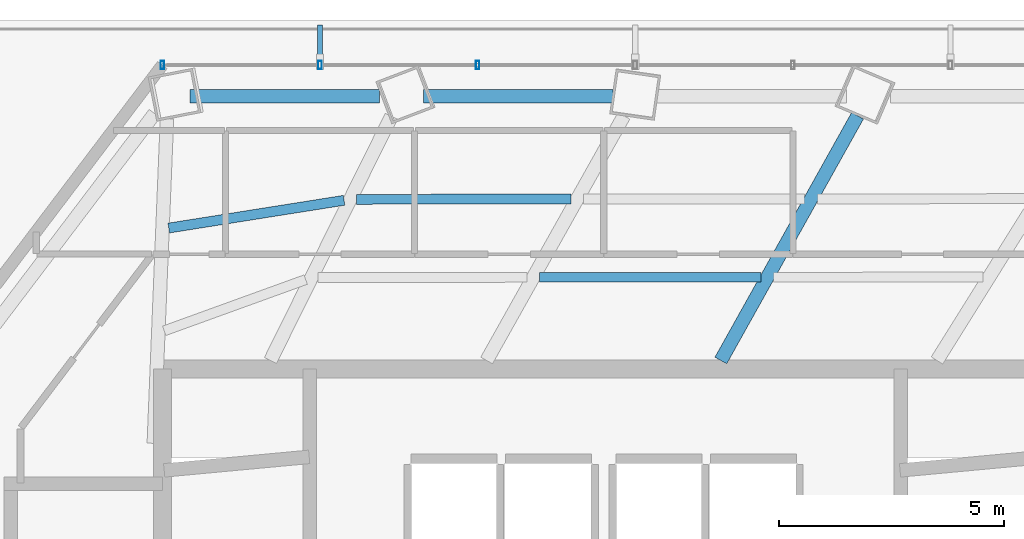
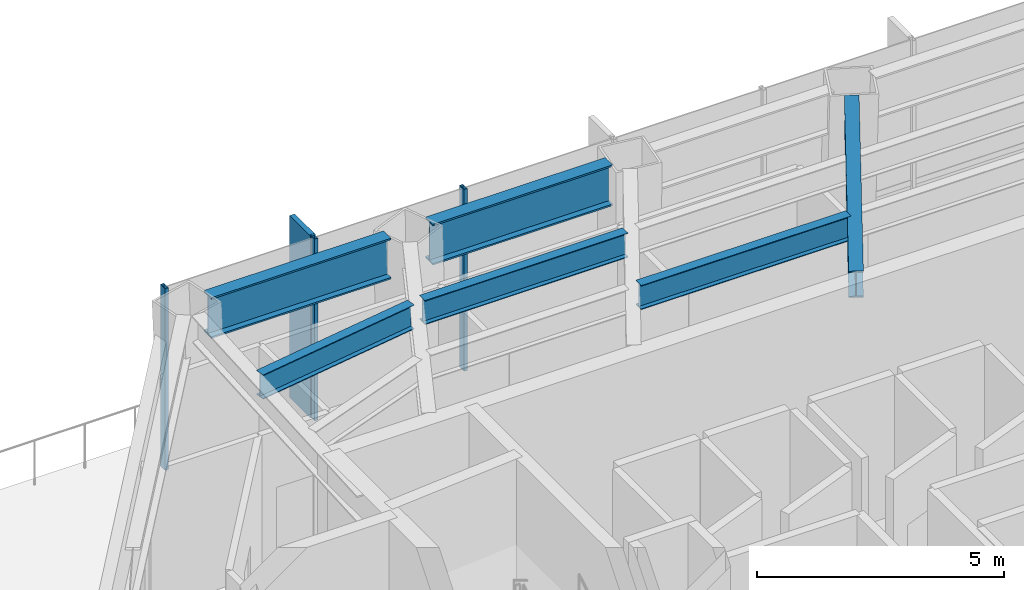
# One storey, part 14 of 30: 6 beams, 4 members, 1 element without a shape of its own.
"""IFC4 building model written with IfcOpenShell, lengths in metres."""

from ifc_helpers import new_model, si_unit, direction, frame, origin, origin_2d, place, context, subcontext, project, spatial, rectangle, hollow_rectangle, i_section, extrude, material, layer, layer_set, material_profile, profile_set, type_object, element, aggregate, save


model = new_model("IFC4")

# Units and contexts
model_context = context("Model", 3, precision=1e-05, world=origin(), true_north=direction((0.0, 1.0)))
body_context = subcontext(model_context, "Body", "Model", "MODEL_VIEW")
ifc_project = project(units=[si_unit("LENGTHUNIT", "METRE"), si_unit("AREAUNIT", "SQUARE_METRE"), si_unit("VOLUMEUNIT", "CUBIC_METRE"), si_unit("PLANEANGLEUNIT", "RADIAN"), si_unit("MASSUNIT", "GRAM", prefix="KILO")], contexts=[model_context])

# Site, building, storey
site_placement = place(None, origin())
site = spatial("IfcSite", under=ifc_project, at=site_placement, CompositionType="ELEMENT")
building_placement = place(site_placement, origin())
building = spatial("IfcBuilding", under=site, at=building_placement, Name="Zarrinselat Tower", CompositionType="ELEMENT")
storey_placement = place(building_placement, frame((0.0, 0.0, 22.780029296875)))
storey = spatial("IfcBuildingStorey", under=building, at=storey_placement, Name="L05", CompositionType="ELEMENT", Elevation=22.780029296875)

# Beams
ifc_material_1 = material(Name="Steel S355J2", Category="steel")
ifc_material_profile_1 = material_profile(ifc_material_1, i_section(OverallWidth=0.300048828125, OverallDepth=0.64990234375, WebThickness=0.01611328125, FlangeThickness=0.031005859375, at=origin_2d()), Name="HEB 650")
ifc_profile_set_1 = profile_set([ifc_material_profile_1], Name="Steel S355J2")
beam_type_1 = type_object("IfcBeamType", Name="BM-HEB650", PredefinedType="BEAM", material=ifc_profile_set_1)
beam_1_placement = place(storey_placement, frame((41.0, 43.639892578125, 4.175048828125), z_axis=(0.487729916269, 0.872994575456, 0.0), x_axis=(-0.872994575456, 0.487729916269, 0.0)))
element("IfcBeam", 1, at=beam_1_placement, inside=storey, type_object=beam_type_1, Name="L05 Radial Primary Girder RG02", PredefinedType="BEAM", context=body_context, shape_type="SweptSolid", body=[
    extrude(i_section(OverallWidth=0.300048828125, OverallDepth=0.64990234375, WebThickness=0.01611328125, FlangeThickness=0.031005859375, at=origin_2d()), origin(), (0.0, 0.0, 1.0), 6.2236328125),
])
ifc_material_2 = material(Name="Steel S460M", Category="steel")
ifc_material_profile_2 = material_profile(ifc_material_2, i_section(OverallWidth=0.302001953125, OverallDepth=1.008056640625, WebThickness=0.02099609375, FlangeThickness=0.0400390625, at=origin_2d()), Name="HEM 1000")
ifc_profile_set_2 = profile_set([ifc_material_profile_2], Name="Steel S460M")
beam_type_2 = type_object("IfcBeamType", Name="BM-HEM1000", PredefinedType="BEAM", material=ifc_profile_set_2)
for number, where, z_axis, x_axis, name in (
    (2, (34.396484375, 49.510986328125, 3.995849609375), (1.0, 0.0, 0.0), (0.0, 1.0, 0.0), "L05 Perimeter Spandrel Girder SP03"),
    (3, (29.21044921875, 49.510986328125, 3.995849609375), (1.0, 0.0, 0.0), (0.0, 1.0, 0.0), "L05 Perimeter Spandrel Girder SP04"),
):
    element("IfcBeam", number, at=place(storey_placement, frame(where, z_axis=z_axis, x_axis=x_axis)), inside=storey, type_object=beam_type_2, Name=name, PredefinedType="BEAM", context=body_context, shape_type="SweptSolid", body=[
        extrude(i_section(OverallWidth=0.302001953125, OverallDepth=1.008056640625, WebThickness=0.02099609375, FlangeThickness=0.0400390625, at=origin_2d()), origin(), (0.0, 0.0, 1.0), 4.2099609375),
    ])
ifc_material_3 = material(Name="Steel S355J2", Category="steel")
ifc_material_profile_3 = material_profile(ifc_material_3, i_section(OverallWidth=0.219970703125, OverallDepth=0.60009765625, WebThickness=0.011962890625, FlangeThickness=0.01904296875, at=origin_2d()), Name="IPE 600")
ifc_profile_set_3 = profile_set([ifc_material_profile_3], Name="Steel S355J2")
beam_type_3 = type_object("IfcBeamType", Name="BM-IPE600", PredefinedType="JOIST", material=ifc_profile_set_3)
beam_2_placement = place(storey_placement, frame((36.9765625, 45.4873046875, 4.199951171875), z_axis=(1.0, 0.0, 0.0), x_axis=(0.0, 1.0, 0.0)))
element("IfcBeam", 4, at=beam_2_placement, inside=storey, type_object=beam_type_3, Name="L05 Composite Floor Joist 9-2", PredefinedType="JOIST", context=body_context, shape_type="SweptSolid", body=[
    extrude(i_section(OverallWidth=0.219970703125, OverallDepth=0.60009765625, WebThickness=0.011962890625, FlangeThickness=0.01904296875, at=origin_2d()), origin(), (0.0, 0.0, 1.0), 4.91552734375),
])
beam_3_placement = place(storey_placement, frame((32.91259765625, 47.21826171875, 4.199951171875), z_axis=(0.999998735712, 0.00159014931, 0.0), x_axis=(-0.00159014931, 0.999998735712, 0.0)))
element("IfcBeam", 5, at=beam_3_placement, inside=storey, type_object=beam_type_3, Name="L05 Composite Floor Joist 10-1", PredefinedType="JOIST", context=body_context, shape_type="SweptSolid", body=[
    extrude(i_section(OverallWidth=0.219970703125, OverallDepth=0.60009765625, WebThickness=0.011962890625, FlangeThickness=0.01904296875, at=origin_2d()), origin(), (0.0, 0.0, 1.0), 4.759521484375),
])
beam_4_placement = place(storey_placement, frame((28.7412109375, 46.580078125, 4.199951171875), z_axis=(0.987703632005, 0.156337888322, 0.0), x_axis=(-0.156337888322, 0.987703632005, 0.0)))
element("IfcBeam", 6, at=beam_4_placement, inside=storey, type_object=beam_type_3, Name="L05 Composite Floor Joist 11-1", PredefinedType="JOIST", context=body_context, shape_type="SweptSolid", body=[
    extrude(i_section(OverallWidth=0.219970703125, OverallDepth=0.60009765625, WebThickness=0.011962890625, FlangeThickness=0.01904296875, at=origin_2d()), origin(), (0.0, 0.0, 1.0), 3.941650390625),
])

# Curtain wall, members
ifc_material_4 = material(Name="Extruded Aluminium Alloy EN AW-6063 T6", Category="aluminium")
ifc_layer = layer(ifc_material_4, 0.195068359375)
ifc_layer_set = layer_set([ifc_layer], Name="Extruded Aluminium Alloy EN AW-6063 T6")
curtain_wall_type = type_object("IfcCurtainWallType", Name="CWS-GDN", PredefinedType="NOTDEFINED", material=ifc_layer_set)
curtain_wall_placement = place(storey_placement, origin())
curtain_wall = element("IfcCurtainWall", 7, at=curtain_wall_placement, inside=storey, type_object=curtain_wall_type, Name="L05 Unitised Curtain Wall CW-L05-E01", PredefinedType="NOTDEFINED")
ifc_material_5 = material(Name="Extruded Aluminium Alloy EN AW-6063 T6", Category="aluminium")
ifc_material_profile_4 = material_profile(ifc_material_5, hollow_rectangle(XDim=0.080078125, YDim=0.179931640625, WallThickness=0.0048828125, at=origin_2d()), Name="RHS 180x80x5")
ifc_profile_set_4 = profile_set([ifc_material_profile_4], Name="Extruded Aluminium Alloy EN AW-6063 T6")
member_type_1 = type_object("IfcMemberType", Name="MEM-CW-MUL", PredefinedType="MULLION", material=ifc_profile_set_4)
member_1_placement = place(storey_placement, frame((35.60009765625, 50.199951171875, 0.0), z_axis=(0.0, 0.0, 1.0), x_axis=(-1.0, 0.0, 0.0)))
member_1 = element("IfcMember", 8, at=member_1_placement, type_object=member_type_1, Name="CW-L05-E01 Mullion 4", PredefinedType="MULLION", context=body_context, shape_type="SweptSolid", body=[
    extrude(hollow_rectangle(XDim=0.080078125, YDim=0.179931640625, WallThickness=0.0048828125, at=origin_2d()), origin(), (0.0, 0.0, 1.0), 4.5),
])
member_2_placement = place(storey_placement, frame((32.10009765625, 50.199951171875, 0.0), z_axis=(0.0, 0.0, 1.0), x_axis=(-1.0, 0.0, 0.0)))
member_2 = element("IfcMember", 9, at=member_2_placement, type_object=member_type_1, Name="CW-L05-E01 Mullion 5", PredefinedType="MULLION", context=body_context, shape_type="SweptSolid", body=[
    extrude(hollow_rectangle(XDim=0.080078125, YDim=0.179931640625, WallThickness=0.0048828125, at=origin_2d()), origin(), (0.0, 0.0, 1.0), 4.5),
])
member_3_placement = place(storey_placement, frame((28.60009765625, 50.199951171875, 0.0), z_axis=(0.0, 0.0, 1.0), x_axis=(-1.0, 0.0, 0.0)))
member_3 = element("IfcMember", 10, at=member_3_placement, type_object=member_type_1, Name="CW-L05-E01 Mullion 6", PredefinedType="MULLION", context=body_context, shape_type="SweptSolid", body=[
    extrude(hollow_rectangle(XDim=0.080078125, YDim=0.179931640625, WallThickness=0.0048828125, at=origin_2d()), origin(), (0.0, 0.0, 1.0), 4.5),
])
ifc_material_6 = material(Name="Honed Cream Travertine Stone", Category="masonry")
ifc_material_profile_5 = material_profile(ifc_material_6, rectangle(XDim=0.1201171875, YDim=0.85009765625, at=origin_2d()), Name="FIN 850x120")
ifc_profile_set_5 = profile_set([ifc_material_profile_5], Name="Honed Cream Travertine Stone")
member_type_2 = type_object("IfcMemberType", Name="MEM-STONE-FIN", PredefinedType="USERDEFINED", material=ifc_profile_set_5)
member_4_placement = place(storey_placement, frame((32.10009765625, 50.659912109375, 0.0), z_axis=(0.0, 0.0, 1.0), x_axis=(1.0, 0.0, 0.0)))
member_4 = element("IfcMember", 11, at=member_4_placement, type_object=member_type_2, Name="L05 Stone Shading Fin CW-L05-E01-05", ObjectType="FIN", PredefinedType="USERDEFINED", context=body_context, shape_type="SweptSolid", body=[
    extrude(rectangle(XDim=0.1201171875, YDim=0.85009765625, at=origin_2d()), origin(), (0.0, 0.0, 1.0), 4.5),
])
aggregate(curtain_wall, [member_1, member_2, member_4, member_3])

save(model, "model.ifc")
